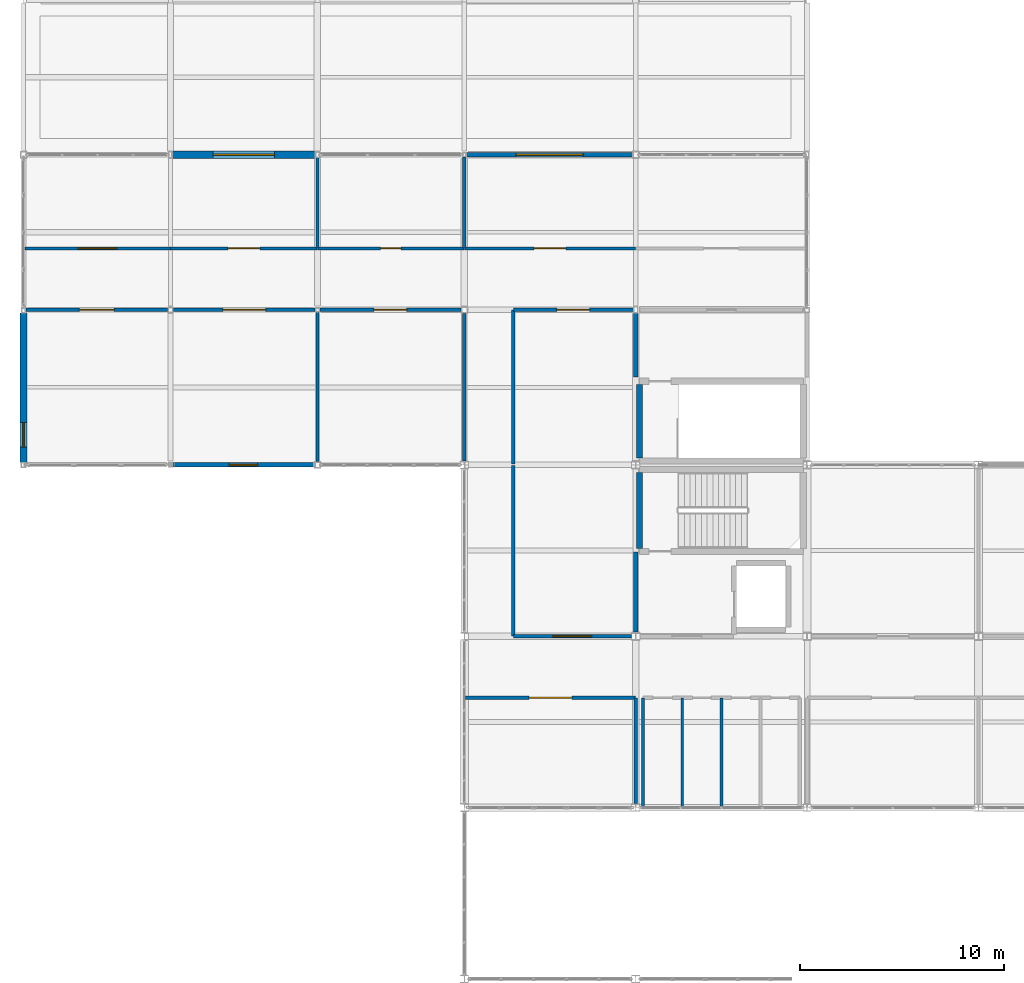
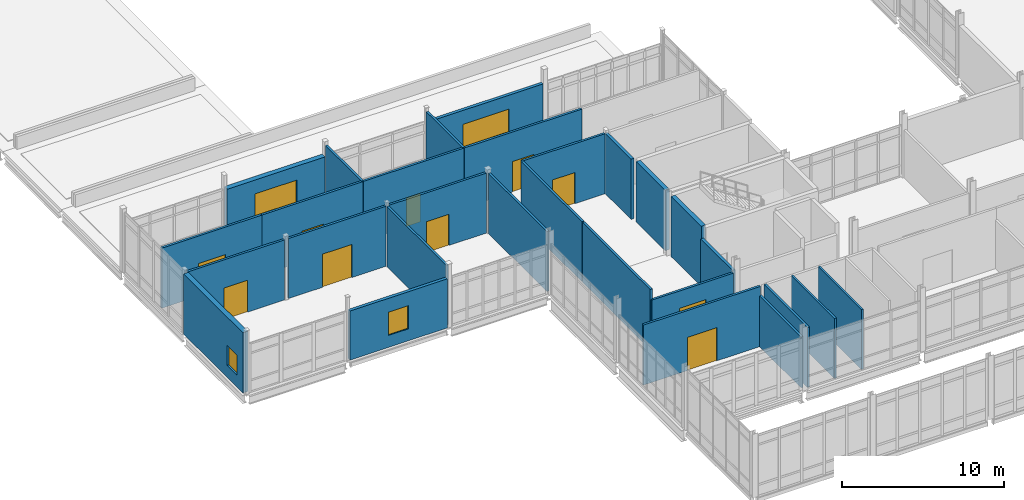
# One storey, part 158 of 186: 28 walls, 10 doors, 4 windows, 14 openings.
"""IFC4 building model written with IfcOpenShell, lengths in metres."""

from ifc_helpers import new_model, si_unit, direction, frame, frame_2d, origin, place, context, subcontext, project, spatial, rectangle, extrude, material, layer, layer_set, type_object, element, fill, save


model = new_model("IFC4")

# Units and contexts
model_context = context("Model", 3, precision=1e-05, world=origin(), true_north=direction((0.0, 1.0)))
body_context = subcontext(model_context, "Body", "Model", "MODEL_VIEW")
ifc_project = project(units=[si_unit("LENGTHUNIT", "METRE"), si_unit("AREAUNIT", "SQUARE_METRE"), si_unit("VOLUMEUNIT", "CUBIC_METRE"), si_unit("PLANEANGLEUNIT", "RADIAN"), si_unit("MASSUNIT", "GRAM", prefix="KILO")], contexts=[model_context])

# Site, building, storey
site_placement = place(None, origin())
site = spatial("IfcSite", under=ifc_project, at=site_placement, CompositionType="ELEMENT")
building_placement = place(site_placement, origin())
building = spatial("IfcBuilding", under=site, at=building_placement, Name="Calvrana Isthmian Art Gallery", CompositionType="ELEMENT")
storey_placement = place(building_placement, frame((0.0, 0.0, 5.39990234375)))
storey = spatial("IfcBuildingStorey", under=building, at=storey_placement, Name="L01", CompositionType="ELEMENT", Elevation=5.39990234375)

# Walls
ifc_material_1 = material(Name="Concrete C40/50", Category="concrete")
ifc_layer_1 = layer(ifc_material_1, 0.300048828125, Name="Concrete C40/50")
ifc_layer_set_1 = layer_set([ifc_layer_1], Name="Concrete C40/50")
wall_type_1 = type_object("IfcWallType", Name="CW-SHAFT-300", PredefinedType="SHEAR", material=ifc_layer_set_1)
wall_1_placement = place(storey_placement, frame((30.18994140625, 42.7099609375, 0.0), z_axis=(0.0, 0.0, 1.0), x_axis=(0.0, 1.0, 0.0)))
element("IfcWall", 1, at=wall_1_placement, inside=storey, type_object=wall_type_1, Name="Core C1 shear wall W L01", PredefinedType="SHEAR", context=body_context, shape_type="SweptSolid", body=[
    extrude(rectangle(XDim=3.719970703125, YDim=0.300048828125, at=frame_2d((1.85986328125, 0.0))), origin(), (0.0, 0.0, 1.0), 4.5400390625),
])
wall_2_placement = place(storey_placement, frame((30.18994140625, 47.14990234375, 0.0), z_axis=(0.0, 0.0, 1.0), x_axis=(0.0, 1.0, 0.0)))
element("IfcWall", 2, at=wall_2_placement, inside=storey, type_object=wall_type_1, Name="Core C7 shear wall W L01", PredefinedType="SHEAR", context=body_context, shape_type="SweptSolid", body=[
    extrude(rectangle(XDim=3.60009765625, YDim=0.300048828125, at=frame_2d((1.800048828125, 0.0))), origin(), (0.0, 0.0, 1.0), 4.5400390625),
])

# Wall, opening, window
ifc_material_2 = material(Name="Precast concrete C40/50", Category="concrete")
ifc_layer_2 = layer(ifc_material_2, 0.219970703125, Name="Precast concrete C40/50")
ifc_layer_set_2 = layer_set([ifc_layer_2], Name="Precast concrete C40/50")
wall_type_2 = type_object("IfcWallType", Name="EW-ACOUST-220", PredefinedType="SOLIDWALL", material=ifc_layer_set_2)
wall_3_placement = place(storey_placement, frame((14.24755859375, 46.800048828125, 0.0), z_axis=(0.0, 0.0, 1.0), x_axis=(-1.0, 0.0, 0.0)))
wall_3 = element("IfcWall", 3, at=wall_3_placement, inside=storey, type_object=wall_type_2, Name="Exterior wall EW-066", PredefinedType="SOLIDWALL", context=body_context, shape_type="SweptSolid", body=[
    extrude(rectangle(XDim=6.946044921875, YDim=0.219970703125, at=frame_2d((3.47314453125, 0.0))), origin(), (0.0, 0.0, 1.0), 3.695068359375),
])
opening_1_placement = place(wall_3_placement, frame((2.77294921875, 0.0, 0.89990234375)))
opening_1 = element("IfcOpeningElement", 4, at=opening_1_placement, cuts=wall_3, Name="Opening W-032", PredefinedType="OPENING", context=body_context, shape_type="SweptSolid", body=[
    extrude(rectangle(XDim=1.39990234375, YDim=1.75, at=frame_2d((0.699951171875, 0.875))), frame((0.0, 0.1201171875, 0.0), z_axis=(0.0, -1.0, 0.0), x_axis=(1.0, 0.0, 0.0)), (0.0, 0.0, 1.0), 0.240478515625),
])
ifc_material_3 = material(Name="Low-E laminated solar glass", Category="glass")
window_type_1 = type_object("IfcWindowType", Name="WN-G09", PartitioningType="SINGLE_PANEL", PredefinedType="WINDOW", material=ifc_material_3)
window_1_placement = place(opening_1_placement, origin())
window_1 = element("IfcWindow", 5, at=window_1_placement, inside=storey, type_object=window_type_1, Name="Facade window W-032", OverallHeight=1.75, OverallWidth=1.39990234375, PartitioningType="SINGLE_PANEL", PredefinedType="WINDOW", context=body_context, shape_type="SweptSolid", body=[
    extrude(rectangle(XDim=1.39990234375, YDim=1.75, at=frame_2d((0.699951171875, 0.875))), frame((0.0, 0.030029296875, 0.0), z_axis=(0.0, -1.0, 0.0), x_axis=(1.0, 0.0, 0.0)), (0.0, 0.0, 1.0), 0.06005859375),
])
fill(opening_1, window_1)

wall_4_placement = place(storey_placement, frame((21.70166015625, 62.0, 0.0), z_axis=(0.0, 0.0, 1.0), x_axis=(1.0, 0.0, 0.0)))
wall_4 = element("IfcWall", 6, at=wall_4_placement, inside=storey, type_object=wall_type_2, Name="Exterior wall EW-074", PredefinedType="SOLIDWALL", context=body_context, shape_type="SweptSolid", body=[
    extrude(rectangle(XDim=8.14599609375, YDim=0.219970703125, at=frame_2d((4.072998046875, 0.0))), origin(), (0.0, 0.0, 1.0), 3.695068359375),
])
opening_2_placement = place(wall_4_placement, frame((2.423095703125, 0.0, 0.89990234375)))
opening_2 = element("IfcOpeningElement", 7, at=opening_2_placement, cuts=wall_4, Name="Opening W-039", PredefinedType="OPENING", context=body_context, shape_type="SweptSolid", body=[
    extrude(rectangle(XDim=3.300048828125, YDim=1.75, at=frame_2d((1.64990234375, 0.875))), frame((0.0, 0.1201171875, 0.0), z_axis=(0.0, -1.0, 0.0), x_axis=(1.0, 0.0, 0.0)), (0.0, 0.0, 1.0), 0.240478515625),
])
window_type_2 = type_object("IfcWindowType", Name="WN-G16", PartitioningType="DOUBLE_PANEL_VERTICAL", PredefinedType="WINDOW", material=ifc_material_3)
window_2_placement = place(opening_2_placement, origin())
window_2 = element("IfcWindow", 8, at=window_2_placement, inside=storey, type_object=window_type_2, Name="Facade window W-039", OverallHeight=1.75, OverallWidth=3.300048828125, PartitioningType="SINGLE_PANEL", PredefinedType="WINDOW", context=body_context, shape_type="SweptSolid", body=[
    extrude(rectangle(XDim=3.300048828125, YDim=1.75, at=frame_2d((1.64990234375, 0.875))), frame((0.0, 0.030029296875, 0.0), z_axis=(0.0, -1.0, 0.0), x_axis=(1.0, 0.0, 0.0)), (0.0, 0.0, 1.0), 0.06005859375),
])
fill(opening_2, window_2)

ifc_layer_3 = layer(ifc_material_2, 0.35009765625, Name="Precast concrete C40/50")
ifc_layer_set_3 = layer_set([ifc_layer_3], Name="Precast concrete C40/50")
wall_type_3 = type_object("IfcWallType", Name="EW-PREC-350", PredefinedType="SOLIDWALL", material=ifc_layer_set_3)
wall_5_placement = place(storey_placement, frame((7.301513671875, 62.0, 0.0), z_axis=(0.0, 0.0, 1.0), x_axis=(1.0, 0.0, 0.0)))
wall_5 = element("IfcWall", 9, at=wall_5_placement, inside=storey, type_object=wall_type_3, Name="Exterior wall EW-073", PredefinedType="SOLIDWALL", context=body_context, shape_type="SweptSolid", body=[
    extrude(rectangle(XDim=6.971435546875, YDim=0.35009765625, at=frame_2d((3.48583984375, 0.0))), origin(), (0.0, 0.0, 1.0), 3.695068359375),
])
opening_3_placement = place(wall_5_placement, frame((1.985595703125, 0.0, 0.89990234375)))
opening_3 = element("IfcOpeningElement", 10, at=opening_3_placement, cuts=wall_5, Name="Opening W-038", PredefinedType="OPENING", context=body_context, shape_type="SweptSolid", body=[
    extrude(rectangle(XDim=3.0, YDim=1.75, at=frame_2d((1.5, 0.875))), frame((0.0, 0.185302734375, 0.0), z_axis=(0.0, -1.0, 0.0), x_axis=(1.0, 0.0, 0.0)), (0.0, 0.0, 1.0), 0.37060546875),
])
window_type_3 = type_object("IfcWindowType", Name="WN-G15", PartitioningType="DOUBLE_PANEL_VERTICAL", PredefinedType="WINDOW", material=ifc_material_3)
window_3_placement = place(opening_3_placement, origin())
window_3 = element("IfcWindow", 11, at=window_3_placement, inside=storey, type_object=window_type_3, Name="Facade window W-038", OverallHeight=1.75, OverallWidth=3.0, PartitioningType="SINGLE_PANEL", PredefinedType="WINDOW", context=body_context, shape_type="SweptSolid", body=[
    extrude(rectangle(XDim=3.0, YDim=1.75, at=frame_2d((1.5, 0.875))), frame((0.0, 0.030029296875, 0.0), z_axis=(0.0, -1.0, 0.0), x_axis=(1.0, 0.0, 0.0)), (0.0, 0.0, 1.0), 0.06005859375),
])
fill(opening_3, window_3)

wall_6_placement = place(storey_placement, frame((0.0, 46.927001953125, 0.0), z_axis=(0.0, 0.0, 1.0), x_axis=(0.0, 1.0, 0.0)))
wall_6 = element("IfcWall", 12, at=wall_6_placement, inside=storey, type_object=wall_type_3, Name="Exterior wall EW-089", PredefinedType="SOLIDWALL", context=body_context, shape_type="SweptSolid", body=[
    extrude(rectangle(XDim=7.320556640625, YDim=0.35009765625, at=frame_2d((3.66015625, 0.0))), origin(), (0.0, 0.0, 1.0), 4.5400390625),
])
opening_4_placement = place(wall_6_placement, frame((0.75, 0.0, 0.89990234375)))
opening_4 = element("IfcOpeningElement", 13, at=opening_4_placement, cuts=wall_6, Name="Opening W-053", PredefinedType="OPENING", context=body_context, shape_type="SweptSolid", body=[
    extrude(rectangle(XDim=1.199951171875, YDim=1.5, at=frame_2d((0.60009765625, 0.75))), frame((0.0, 0.185302734375, 0.0), z_axis=(0.0, -1.0, 0.0), x_axis=(1.0, 0.0, 0.0)), (0.0, 0.0, 1.0), 0.37060546875),
])
window_type_4 = type_object("IfcWindowType", Name="WN-G01", PartitioningType="SINGLE_PANEL", PredefinedType="WINDOW", material=ifc_material_3)
window_4_placement = place(opening_4_placement, origin())
window_4 = element("IfcWindow", 14, at=window_4_placement, inside=storey, type_object=window_type_4, Name="Facade window W-053", OverallHeight=1.5, OverallWidth=1.199951171875, PartitioningType="SINGLE_PANEL", PredefinedType="WINDOW", context=body_context, shape_type="SweptSolid", body=[
    extrude(rectangle(XDim=1.199951171875, YDim=1.5, at=frame_2d((0.60009765625, 0.75))), frame((0.0, 0.030029296875, 0.0), z_axis=(0.0, -1.0, 0.0), x_axis=(1.0, 0.0, 0.0)), (0.0, 0.0, 1.0), 0.06005859375),
])
fill(opening_4, window_4)

# Walls
ifc_material_4 = material(Name="Acoustic gypsum ceiling", Category="gypsum")
ifc_layer_4 = layer(ifc_material_4, 0.199951171875, Name="Acoustic gypsum ceiling")
ifc_layer_set_4 = layer_set([ifc_layer_4], Name="Acoustic gypsum ceiling")
wall_type_4 = type_object("IfcWallType", Name="PW-FIRE-200", PredefinedType="PARTITIONING", material=ifc_layer_set_4)
wall_7_placement = place(storey_placement, frame((30.0, 38.6201171875, 0.0), z_axis=(0.0, 0.0, 1.0), x_axis=(0.0, 1.0, 0.0)))
element("IfcWall", 15, at=wall_7_placement, inside=storey, type_object=wall_type_4, Name="Core C1 lobby west closure L01", PredefinedType="PARTITIONING", context=body_context, shape_type="SweptSolid", body=[
    extrude(rectangle(XDim=3.919921875, YDim=0.199951171875, at=frame_2d((1.9599609375, 0.0))), origin(), (0.0, 0.0, 1.0), 3.748046875),
])
wall_8_placement = place(storey_placement, frame((30.0, 51.1201171875, 0.0), z_axis=(0.0, 0.0, 1.0), x_axis=(0.0, 1.0, 0.0)))
element("IfcWall", 16, at=wall_8_placement, inside=storey, type_object=wall_type_4, Name="Core C7 lobby W closure L01", PredefinedType="PARTITIONING", context=body_context, shape_type="SweptSolid", body=[
    extrude(rectangle(XDim=3.259765625, YDim=0.199951171875, at=frame_2d((1.6298828125, 0.0))), origin(), (0.0, 0.0, 1.0), 4.5400390625),
])

# Wall, opening, door
ifc_layer_5 = layer(ifc_material_4, 0.159912109375, Name="Acoustic gypsum ceiling")
ifc_layer_set_5 = layer_set([ifc_layer_5], Name="Acoustic gypsum ceiling")
wall_type_5 = type_object("IfcWallType", Name="PW-GAL-160", PredefinedType="PARTITIONING", material=ifc_layer_set_5)
wall_9_placement = place(storey_placement, frame((21.659912109375, 35.389892578125, 0.0), z_axis=(0.0, 0.0, 1.0), x_axis=(1.0, 0.0, 0.0)))
wall_9 = element("IfcWall", 17, at=wall_9_placement, inside=storey, type_object=wall_type_5, Name="Interior partition PW-297", PredefinedType="PARTITIONING", context=body_context, shape_type="SweptSolid", body=[
    extrude(rectangle(XDim=8.330078125, YDim=0.159912109375, at=frame_2d((4.1650390625, 0.0))), origin(), (0.0, 0.0, 1.0), 4.52001953125),
])
opening_5_placement = place(wall_9_placement, frame((3.114990234375, 0.0, 0.0)))
opening_5 = element("IfcOpeningElement", 18, at=opening_5_placement, cuts=wall_9, Name="Opening D-349", PredefinedType="OPENING", context=body_context, shape_type="SweptSolid", body=[
    extrude(rectangle(XDim=2.10009765625, YDim=2.5, at=frame_2d((1.050048828125, 1.25))), frame((0.0, 0.09033203125, 0.0), z_axis=(0.0, -1.0, 0.0), x_axis=(1.0, 0.0, 0.0)), (0.0, 0.0, 1.0), 0.180419921875),
])
ifc_material_5 = material(Name="Timber gallery flooring", Category="wood")
door_type_1 = type_object("IfcDoorType", Name="DR-GAL-2100", OperationType="DOUBLE_DOOR_SINGLE_SWING", PredefinedType="DOOR", material=ifc_material_5)
door_1_placement = place(opening_5_placement, origin())
door_1 = element("IfcDoor", 19, at=door_1_placement, inside=storey, type_object=door_type_1, Name="Interior door D-349", OperationType="DOUBLE_DOOR_SINGLE_SWING", OverallHeight=2.5, OverallWidth=2.10009765625, PredefinedType="DOOR", context=body_context, shape_type="SweptSolid", body=[
    extrude(rectangle(XDim=2.10009765625, YDim=2.5, at=frame_2d((1.050048828125, 1.25))), frame((0.0, 0.02490234375, 0.0), z_axis=(0.0, -1.0, 0.0), x_axis=(1.0, 0.0, 0.0)), (0.0, 0.0, 1.0), 0.050048828125),
])
fill(opening_5, door_1)

# Walls
wall_10_placement = place(storey_placement, frame((30.0, 30.198974609375, 0.0), z_axis=(0.0, 0.0, 1.0), x_axis=(0.0, 1.0, 0.0)))
element("IfcWall", 20, at=wall_10_placement, inside=storey, type_object=wall_type_5, Name="Interior partition PW-298", PredefinedType="PARTITIONING", context=body_context, shape_type="SweptSolid", body=[
    extrude(rectangle(XDim=5.180908203125, YDim=0.159912109375, at=frame_2d((2.59033203125, 0.0))), origin(), (0.0, 0.0, 1.0), 3.8271484375),
])
wall_11_placement = place(storey_placement, frame((30.360107421875, 30.030029296875, 0.0), z_axis=(0.0, 0.0, 1.0), x_axis=(0.0, 1.0, 0.0)))
element("IfcWall", 21, at=wall_11_placement, inside=storey, type_object=wall_type_5, Name="Interior partition PW-302", PredefinedType="PARTITIONING", context=body_context, shape_type="SweptSolid", body=[
    extrude(rectangle(XDim=5.349853515625, YDim=0.159912109375, at=frame_2d((2.6748046875, 0.0))), origin(), (0.0, 0.0, 1.0), 4.52001953125),
])
wall_12_placement = place(storey_placement, frame((24.0, 38.419921875, 0.0), z_axis=(0.0, 0.0, 1.0), x_axis=(0.0, 1.0, 0.0)))
element("IfcWall", 22, at=wall_12_placement, inside=storey, type_object=wall_type_5, Name="Interior partition PW-314", PredefinedType="PARTITIONING", context=body_context, shape_type="SweptSolid", body=[
    extrude(rectangle(XDim=8.340087890625, YDim=0.159912109375, at=frame_2d((4.169921875, 0.0))), origin(), (0.0, 0.0, 1.0), 4.52001953125),
])

# Wall, opening, door
wall_13_placement = place(storey_placement, frame((24.0, 38.39990234375, 0.0), z_axis=(0.0, 0.0, 1.0), x_axis=(1.0, 0.0, 0.0)))
wall_13 = element("IfcWall", 23, at=wall_13_placement, inside=storey, type_object=wall_type_5, Name="Interior partition PW-315", PredefinedType="PARTITIONING", context=body_context, shape_type="SweptSolid", body=[
    extrude(rectangle(XDim=5.785400390625, YDim=0.159912109375, at=frame_2d((2.892578125, 0.0))), origin(), (0.0, 0.0, 1.0), 3.758056640625),
])
opening_6_placement = place(wall_13_placement, frame((1.942626953125, 0.0, 0.0)))
opening_6 = element("IfcOpeningElement", 24, at=opening_6_placement, cuts=wall_13, Name="Opening D-359", PredefinedType="OPENING", context=body_context, shape_type="SweptSolid", body=[
    extrude(rectangle(XDim=1.89990234375, YDim=2.449951171875, at=frame_2d((0.949951171875, 1.22509765625))), frame((0.0, 0.09033203125, 0.0), z_axis=(0.0, -1.0, 0.0), x_axis=(1.0, 0.0, 0.0)), (0.0, 0.0, 1.0), 0.180419921875),
])
door_type_2 = type_object("IfcDoorType", Name="DR-GAL-1900", OperationType="DOUBLE_DOOR_SINGLE_SWING", PredefinedType="DOOR", material=ifc_material_5)
door_2_placement = place(opening_6_placement, origin())
door_2 = element("IfcDoor", 25, at=door_2_placement, inside=storey, type_object=door_type_2, Name="Interior door D-359", OperationType="DOUBLE_DOOR_SINGLE_SWING", OverallHeight=2.449951171875, OverallWidth=1.89990234375, PredefinedType="DOOR", context=body_context, shape_type="SweptSolid", body=[
    extrude(rectangle(XDim=1.89990234375, YDim=2.449951171875, at=frame_2d((0.949951171875, 1.22509765625))), frame((0.0, 0.02490234375, 0.0), z_axis=(0.0, -1.0, 0.0), x_axis=(1.0, 0.0, 0.0)), (0.0, 0.0, 1.0), 0.050048828125),
])
fill(opening_6, door_2)

wall_14_placement = place(storey_placement, frame((0.11669921875, 54.39990234375, 0.0), z_axis=(0.0, 0.0, 1.0), x_axis=(1.0, 0.0, 0.0)))
wall_14 = element("IfcWall", 26, at=wall_14_placement, inside=storey, type_object=wall_type_5, Name="Interior partition PW-365", PredefinedType="PARTITIONING", context=body_context, shape_type="SweptSolid", body=[
    extrude(rectangle(XDim=6.94140625, YDim=0.159912109375, at=frame_2d((3.470703125, 0.0))), origin(), (0.0, 0.0, 1.0), 4.52001953125),
])
opening_7_placement = place(wall_14_placement, frame((2.62060546875, 0.0, 0.0)))
opening_7 = element("IfcOpeningElement", 27, at=opening_7_placement, cuts=wall_14, Name="Opening D-386", PredefinedType="OPENING", context=body_context, shape_type="SweptSolid", body=[
    extrude(rectangle(XDim=1.699951171875, YDim=2.39990234375, at=frame_2d((0.85009765625, 1.199951171875))), frame((0.0, 0.09033203125, 0.0), z_axis=(0.0, -1.0, 0.0), x_axis=(1.0, 0.0, 0.0)), (0.0, 0.0, 1.0), 0.180419921875),
])
door_type_3 = type_object("IfcDoorType", Name="DR-GAL-1700", OperationType="DOUBLE_DOOR_SINGLE_SWING", PredefinedType="DOOR", material=ifc_material_5)
door_3_placement = place(opening_7_placement, origin())
door_3 = element("IfcDoor", 28, at=door_3_placement, inside=storey, type_object=door_type_3, Name="Interior door D-386", OperationType="DOUBLE_DOOR_SINGLE_SWING", OverallHeight=2.39990234375, OverallWidth=1.699951171875, PredefinedType="DOOR", context=body_context, shape_type="SweptSolid", body=[
    extrude(rectangle(XDim=1.699951171875, YDim=2.39990234375, at=frame_2d((0.85009765625, 1.199951171875))), frame((0.0, 0.02490234375, 0.0), z_axis=(0.0, -1.0, 0.0), x_axis=(1.0, 0.0, 0.0)), (0.0, 0.0, 1.0), 0.050048828125),
])
fill(opening_7, door_3)

wall_15_placement = place(storey_placement, frame((7.342041015625, 54.39990234375, 0.0), z_axis=(0.0, 0.0, 1.0), x_axis=(1.0, 0.0, 0.0)))
wall_15 = element("IfcWall", 29, at=wall_15_placement, inside=storey, type_object=wall_type_5, Name="Interior partition PW-366", PredefinedType="PARTITIONING", context=body_context, shape_type="SweptSolid", body=[
    extrude(rectangle(XDim=6.94140625, YDim=0.159912109375, at=frame_2d((3.470703125, 0.0))), origin(), (0.0, 0.0, 1.0), 4.52001953125),
])
opening_8_placement = place(wall_15_placement, frame((2.420654296875, 0.0, 0.0)))
opening_8 = element("IfcOpeningElement", 30, at=opening_8_placement, cuts=wall_15, Name="Opening D-387", PredefinedType="OPENING", context=body_context, shape_type="SweptSolid", body=[
    extrude(rectangle(XDim=2.10009765625, YDim=2.5, at=frame_2d((1.050048828125, 1.25))), frame((0.0, 0.09033203125, 0.0), z_axis=(0.0, -1.0, 0.0), x_axis=(1.0, 0.0, 0.0)), (0.0, 0.0, 1.0), 0.180419921875),
])
door_4_placement = place(opening_8_placement, origin())
door_4 = element("IfcDoor", 31, at=door_4_placement, inside=storey, type_object=door_type_1, Name="Interior door D-387", OperationType="DOUBLE_DOOR_SINGLE_SWING", OverallHeight=2.5, OverallWidth=2.10009765625, PredefinedType="DOOR", context=body_context, shape_type="SweptSolid", body=[
    extrude(rectangle(XDim=2.10009765625, YDim=2.5, at=frame_2d((1.050048828125, 1.25))), frame((0.0, 0.02490234375, 0.0), z_axis=(0.0, -1.0, 0.0), x_axis=(1.0, 0.0, 0.0)), (0.0, 0.0, 1.0), 0.050048828125),
])
fill(opening_8, door_4)

# Wall
wall_16_placement = place(storey_placement, frame((14.39990234375, 46.96728515625, 0.0), z_axis=(0.0, 0.0, 1.0), x_axis=(0.0, 1.0, 0.0)))
element("IfcWall", 32, at=wall_16_placement, inside=storey, type_object=wall_type_5, Name="Interior partition PW-367", PredefinedType="PARTITIONING", context=body_context, shape_type="SweptSolid", body=[
    extrude(rectangle(XDim=7.316162109375, YDim=0.159912109375, at=frame_2d((3.658203125, 0.0))), origin(), (0.0, 0.0, 1.0), 4.52001953125),
])

# Wall, opening, door
wall_17_placement = place(storey_placement, frame((14.5166015625, 54.39990234375, 0.0), z_axis=(0.0, 0.0, 1.0), x_axis=(1.0, 0.0, 0.0)))
wall_17 = element("IfcWall", 33, at=wall_17_placement, inside=storey, type_object=wall_type_5, Name="Interior partition PW-368", PredefinedType="PARTITIONING", context=body_context, shape_type="SweptSolid", body=[
    extrude(rectangle(XDim=6.916015625, YDim=0.159912109375, at=frame_2d((3.4580078125, 0.0))), origin(), (0.0, 0.0, 1.0), 4.52001953125),
])
opening_9_placement = place(wall_17_placement, frame((2.657958984375, 0.0, 0.0)))
opening_9 = element("IfcOpeningElement", 34, at=opening_9_placement, cuts=wall_17, Name="Opening D-388", PredefinedType="OPENING", context=body_context, shape_type="SweptSolid", body=[
    extrude(rectangle(XDim=1.60009765625, YDim=2.35009765625, at=frame_2d((0.800048828125, 1.175048828125))), frame((0.0, 0.09033203125, 0.0), z_axis=(0.0, -1.0, 0.0), x_axis=(1.0, 0.0, 0.0)), (0.0, 0.0, 1.0), 0.180419921875),
])
door_type_4 = type_object("IfcDoorType", Name="DR-GAL-1600", OperationType="DOUBLE_DOOR_SINGLE_SWING", PredefinedType="DOOR", material=ifc_material_5)
door_5_placement = place(opening_9_placement, origin())
door_5 = element("IfcDoor", 35, at=door_5_placement, inside=storey, type_object=door_type_4, Name="Interior door D-388", OperationType="DOUBLE_DOOR_SINGLE_SWING", OverallHeight=2.35009765625, OverallWidth=1.60009765625, PredefinedType="DOOR", context=body_context, shape_type="SweptSolid", body=[
    extrude(rectangle(XDim=1.60009765625, YDim=2.35009765625, at=frame_2d((0.800048828125, 1.175048828125))), frame((0.0, 0.02490234375, 0.0), z_axis=(0.0, -1.0, 0.0), x_axis=(1.0, 0.0, 0.0)), (0.0, 0.0, 1.0), 0.050048828125),
])
fill(opening_9, door_5)

# Walls
wall_18_placement = place(storey_placement, frame((21.60009765625, 47.0029296875, 0.0), z_axis=(0.0, 0.0, 1.0), x_axis=(0.0, 1.0, 0.0)))
element("IfcWall", 36, at=wall_18_placement, inside=storey, type_object=wall_type_5, Name="Interior partition PW-369", PredefinedType="PARTITIONING", context=body_context, shape_type="SweptSolid", body=[
    extrude(rectangle(XDim=7.229736328125, YDim=0.159912109375, at=frame_2d((3.61474609375, 0.0))), origin(), (0.0, 0.0, 1.0), 4.52001953125),
])
wall_19_placement = place(storey_placement, frame((24.0, 46.840087890625, 0.0), z_axis=(0.0, 0.0, 1.0), x_axis=(0.0, 1.0, 0.0)))
element("IfcWall", 37, at=wall_19_placement, inside=storey, type_object=wall_type_5, Name="Interior partition PW-370", PredefinedType="PARTITIONING", context=body_context, shape_type="SweptSolid", body=[
    extrude(rectangle(XDim=7.539794921875, YDim=0.159912109375, at=frame_2d((3.77001953125, 0.0))), origin(), (0.0, 0.0, 1.0), 4.52001953125),
])

# Wall, opening, door
wall_20_placement = place(storey_placement, frame((24.0, 54.39990234375, 0.0), z_axis=(0.0, 0.0, 1.0), x_axis=(1.0, 0.0, 0.0)))
wall_20 = element("IfcWall", 38, at=wall_20_placement, inside=storey, type_object=wall_type_5, Name="Interior partition PW-371", PredefinedType="PARTITIONING", context=body_context, shape_type="SweptSolid", body=[
    extrude(rectangle(XDim=5.88330078125, YDim=0.159912109375, at=frame_2d((2.941650390625, 0.0))), origin(), (0.0, 0.0, 1.0), 4.52001953125),
])
opening_10_placement = place(wall_20_placement, frame((2.1416015625, 0.0, 0.0)))
opening_10 = element("IfcOpeningElement", 39, at=opening_10_placement, cuts=wall_20, Name="Opening D-389", PredefinedType="OPENING", context=body_context, shape_type="SweptSolid", body=[
    extrude(rectangle(XDim=1.60009765625, YDim=2.35009765625, at=frame_2d((0.800048828125, 1.175048828125))), frame((0.0, 0.09033203125, 0.0), z_axis=(0.0, -1.0, 0.0), x_axis=(1.0, 0.0, 0.0)), (0.0, 0.0, 1.0), 0.180419921875),
])
door_6_placement = place(opening_10_placement, origin())
door_6 = element("IfcDoor", 40, at=door_6_placement, inside=storey, type_object=door_type_4, Name="Interior door D-389", OperationType="DOUBLE_DOOR_SINGLE_SWING", OverallHeight=2.35009765625, OverallWidth=1.60009765625, PredefinedType="DOOR", context=body_context, shape_type="SweptSolid", body=[
    extrude(rectangle(XDim=1.60009765625, YDim=2.35009765625, at=frame_2d((0.800048828125, 1.175048828125))), frame((0.0, 0.02490234375, 0.0), z_axis=(0.0, -1.0, 0.0), x_axis=(1.0, 0.0, 0.0)), (0.0, 0.0, 1.0), 0.050048828125),
])
fill(opening_10, door_6)

wall_21_placement = place(storey_placement, frame((0.06005859375, 57.409912109375, 0.0), z_axis=(0.0, 0.0, 1.0), x_axis=(1.0, 0.0, 0.0)))
wall_21 = element("IfcWall", 41, at=wall_21_placement, inside=storey, type_object=wall_type_5, Name="Interior partition PW-372", PredefinedType="PARTITIONING", context=body_context, shape_type="SweptSolid", body=[
    extrude(rectangle(XDim=7.1298828125, YDim=0.159912109375, at=frame_2d((3.56494140625, 0.0))), origin(), (0.0, 0.0, 1.0), 4.52001953125),
])
opening_11_placement = place(wall_21_placement, frame((2.614990234375, 0.0, 0.0)))
opening_11 = element("IfcOpeningElement", 42, at=opening_11_placement, cuts=wall_21, Name="Opening D-390", PredefinedType="OPENING", context=body_context, shape_type="SweptSolid", body=[
    extrude(rectangle(XDim=1.89990234375, YDim=2.449951171875, at=frame_2d((0.949951171875, 1.22509765625))), frame((0.0, 0.09033203125, 0.0), z_axis=(0.0, -1.0, 0.0), x_axis=(1.0, 0.0, 0.0)), (0.0, 0.0, 1.0), 0.180419921875),
])
door_7_placement = place(opening_11_placement, origin())
door_7 = element("IfcDoor", 43, at=door_7_placement, inside=storey, type_object=door_type_2, Name="Interior door D-390", OperationType="DOUBLE_DOOR_SINGLE_SWING", OverallHeight=2.449951171875, OverallWidth=1.89990234375, PredefinedType="DOOR", context=body_context, shape_type="SweptSolid", body=[
    extrude(rectangle(XDim=1.89990234375, YDim=2.449951171875, at=frame_2d((0.949951171875, 1.22509765625))), frame((0.0, 0.02490234375, 0.0), z_axis=(0.0, -1.0, 0.0), x_axis=(1.0, 0.0, 0.0)), (0.0, 0.0, 1.0), 0.050048828125),
])
fill(opening_11, door_7)

wall_22_placement = place(storey_placement, frame((7.2099609375, 57.409912109375, 0.0), z_axis=(0.0, 0.0, 1.0), x_axis=(1.0, 0.0, 0.0)))
wall_22 = element("IfcWall", 44, at=wall_22_placement, inside=storey, type_object=wall_type_5, Name="Interior partition PW-373", PredefinedType="PARTITIONING", context=body_context, shape_type="SweptSolid", body=[
    extrude(rectangle(XDim=7.179931640625, YDim=0.159912109375, at=frame_2d((3.58984375, 0.0))), origin(), (0.0, 0.0, 1.0), 4.52001953125),
])
opening_12_placement = place(wall_22_placement, frame((2.81494140625, 0.0, 0.0)))
opening_12 = element("IfcOpeningElement", 45, at=opening_12_placement, cuts=wall_22, Name="Opening D-391", PredefinedType="OPENING", context=body_context, shape_type="SweptSolid", body=[
    extrude(rectangle(XDim=1.550048828125, YDim=2.300048828125, at=frame_2d((0.77490234375, 1.14990234375))), frame((0.0, 0.09033203125, 0.0), z_axis=(0.0, -1.0, 0.0), x_axis=(1.0, 0.0, 0.0)), (0.0, 0.0, 1.0), 0.180419921875),
])
door_type_5 = type_object("IfcDoorType", Name="DR-AUD-1550", OperationType="DOUBLE_DOOR_SINGLE_SWING", PredefinedType="DOOR", material=ifc_material_5)
door_8_placement = place(opening_12_placement, origin())
door_8 = element("IfcDoor", 46, at=door_8_placement, inside=storey, type_object=door_type_5, Name="Interior door D-391", OperationType="DOUBLE_DOOR_SINGLE_SWING", OverallHeight=2.300048828125, OverallWidth=1.550048828125, PredefinedType="DOOR", context=body_context, shape_type="SweptSolid", body=[
    extrude(rectangle(XDim=1.550048828125, YDim=2.300048828125, at=frame_2d((0.77490234375, 1.14990234375))), frame((0.0, 0.02490234375, 0.0), z_axis=(0.0, -1.0, 0.0), x_axis=(1.0, 0.0, 0.0)), (0.0, 0.0, 1.0), 0.050048828125),
])
fill(opening_12, door_8)

# Wall
wall_23_placement = place(storey_placement, frame((14.39990234375, 57.419921875, 0.0), z_axis=(0.0, 0.0, 1.0), x_axis=(0.0, 1.0, 0.0)))
element("IfcWall", 47, at=wall_23_placement, inside=storey, type_object=wall_type_5, Name="Interior partition PW-374", PredefinedType="PARTITIONING", context=body_context, shape_type="SweptSolid", body=[
    extrude(rectangle(XDim=4.43798828125, YDim=0.159912109375, at=frame_2d((2.218994140625, 0.0))), origin(), (0.0, 0.0, 1.0), 4.52001953125),
])

# Wall, opening, door
wall_24_placement = place(storey_placement, frame((14.409912109375, 57.409912109375, 0.0), z_axis=(0.0, 0.0, 1.0), x_axis=(1.0, 0.0, 0.0)))
wall_24 = element("IfcWall", 48, at=wall_24_placement, inside=storey, type_object=wall_type_5, Name="Interior partition PW-375", PredefinedType="PARTITIONING", context=body_context, shape_type="SweptSolid", body=[
    extrude(rectangle(XDim=7.18017578125, YDim=0.159912109375, at=frame_2d((3.590087890625, 0.0))), origin(), (0.0, 0.0, 1.0), 4.52001953125),
])
opening_13_placement = place(wall_24_placement, frame((3.090087890625, 0.0, 0.0)))
opening_13 = element("IfcOpeningElement", 49, at=opening_13_placement, cuts=wall_24, Name="Opening D-392", PredefinedType="OPENING", context=body_context, shape_type="SweptSolid", body=[
    extrude(rectangle(XDim=1.0, YDim=2.14990234375, at=frame_2d((0.5, 1.074951171875))), frame((0.0, 0.09033203125, 0.0), z_axis=(0.0, -1.0, 0.0), x_axis=(1.0, 0.0, 0.0)), (0.0, 0.0, 1.0), 0.180419921875),
])
door_type_6 = type_object("IfcDoorType", Name="DR-RM-1000", OperationType="NOTDEFINED", PredefinedType="DOOR", material=ifc_material_5)
door_9_placement = place(opening_13_placement, origin())
door_9 = element("IfcDoor", 50, at=door_9_placement, inside=storey, type_object=door_type_6, Name="Interior door D-392", OperationType="SINGLE_SWING_LEFT", OverallHeight=2.14990234375, OverallWidth=1.0, PredefinedType="DOOR", context=body_context, shape_type="SweptSolid", body=[
    extrude(rectangle(XDim=1.0, YDim=2.14990234375, at=frame_2d((0.5, 1.074951171875))), frame((0.0, 0.02490234375, 0.0), z_axis=(0.0, -1.0, 0.0), x_axis=(1.0, 0.0, 0.0)), (0.0, 0.0, 1.0), 0.050048828125),
])
fill(opening_13, door_9)

# Wall
wall_25_placement = place(storey_placement, frame((21.60009765625, 57.419921875, 0.0), z_axis=(0.0, 0.0, 1.0), x_axis=(0.0, 1.0, 0.0)))
element("IfcWall", 51, at=wall_25_placement, inside=storey, type_object=wall_type_5, Name="Interior partition PW-376", PredefinedType="PARTITIONING", context=body_context, shape_type="SweptSolid", body=[
    extrude(rectangle(XDim=4.46337890625, YDim=0.159912109375, at=frame_2d((2.231689453125, 0.0))), origin(), (0.0, 0.0, 1.0), 4.52001953125),
])

# Wall, opening, door
wall_26_placement = place(storey_placement, frame((21.610107421875, 57.409912109375, 0.0), z_axis=(0.0, 0.0, 1.0), x_axis=(1.0, 0.0, 0.0)))
wall_26 = element("IfcWall", 52, at=wall_26_placement, inside=storey, type_object=wall_type_5, Name="Interior partition PW-377", PredefinedType="PARTITIONING", context=body_context, shape_type="SweptSolid", body=[
    extrude(rectangle(XDim=8.3798828125, YDim=0.159912109375, at=frame_2d((4.18994140625, 0.0))), origin(), (0.0, 0.0, 1.0), 4.52001953125),
])
opening_14_placement = place(wall_26_placement, frame((3.4150390625, 0.0, 0.0)))
opening_14 = element("IfcOpeningElement", 53, at=opening_14_placement, cuts=wall_26, Name="Opening D-393", PredefinedType="OPENING", context=body_context, shape_type="SweptSolid", body=[
    extrude(rectangle(XDim=1.550048828125, YDim=2.300048828125, at=frame_2d((0.77490234375, 1.14990234375))), frame((0.0, 0.09033203125, 0.0), z_axis=(0.0, -1.0, 0.0), x_axis=(1.0, 0.0, 0.0)), (0.0, 0.0, 1.0), 0.180419921875),
])
door_10_placement = place(opening_14_placement, origin())
door_10 = element("IfcDoor", 54, at=door_10_placement, inside=storey, type_object=door_type_5, Name="Interior door D-393", OperationType="DOUBLE_DOOR_SINGLE_SWING", OverallHeight=2.300048828125, OverallWidth=1.550048828125, PredefinedType="DOOR", context=body_context, shape_type="SweptSolid", body=[
    extrude(rectangle(XDim=1.550048828125, YDim=2.300048828125, at=frame_2d((0.77490234375, 1.14990234375))), frame((0.0, 0.02490234375, 0.0), z_axis=(0.0, -1.0, 0.0), x_axis=(1.0, 0.0, 0.0)), (0.0, 0.0, 1.0), 0.050048828125),
])
fill(opening_14, door_10)

# Walls
ifc_layer_6 = layer(ifc_material_4, 0.139892578125, Name="Acoustic gypsum ceiling")
ifc_layer_set_6 = layer_set([ifc_layer_6], Name="Acoustic gypsum ceiling")
wall_type_6 = type_object("IfcWallType", Name="PW-WC-140", PredefinedType="PARTITIONING", material=ifc_layer_set_6)
for number, where, z_axis, x_axis, name in (
    (55, (32.280029296875, 30.030029296875, 0.0), (0.0, 0.0, 1.0), (0.0, 1.0, 0.0), "Interior partition PW-299"),
    (56, (34.199951171875, 30.030029296875, 0.0), (0.0, 0.0, 1.0), (0.0, 1.0, 0.0), "Interior partition PW-300"),
):
    element("IfcWall", number, at=place(storey_placement, frame(where, z_axis=z_axis, x_axis=x_axis)), inside=storey, type_object=wall_type_6, Name=name, PredefinedType="PARTITIONING", context=body_context, shape_type="SweptSolid", body=[
        extrude(rectangle(XDim=5.349853515625, YDim=0.139892578125, at=frame_2d((2.6748046875, 0.0))), origin(), (0.0, 0.0, 1.0), 4.52001953125),
    ])

save(model, "model.ifc")
